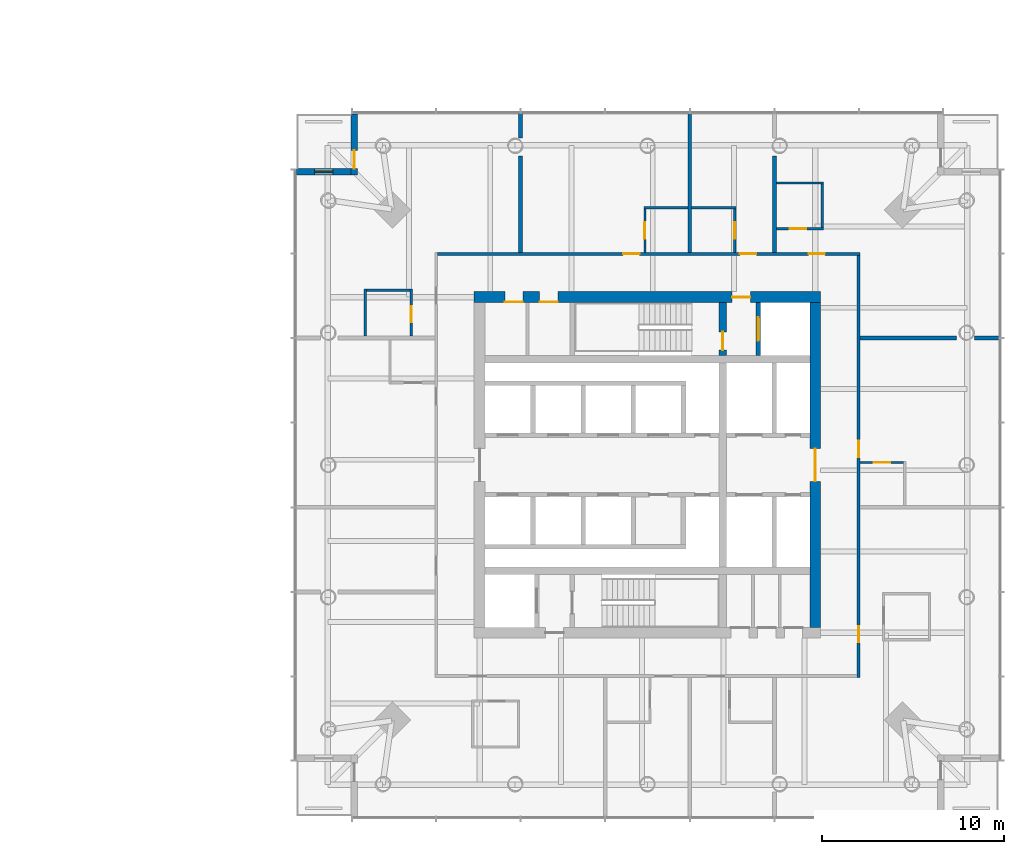
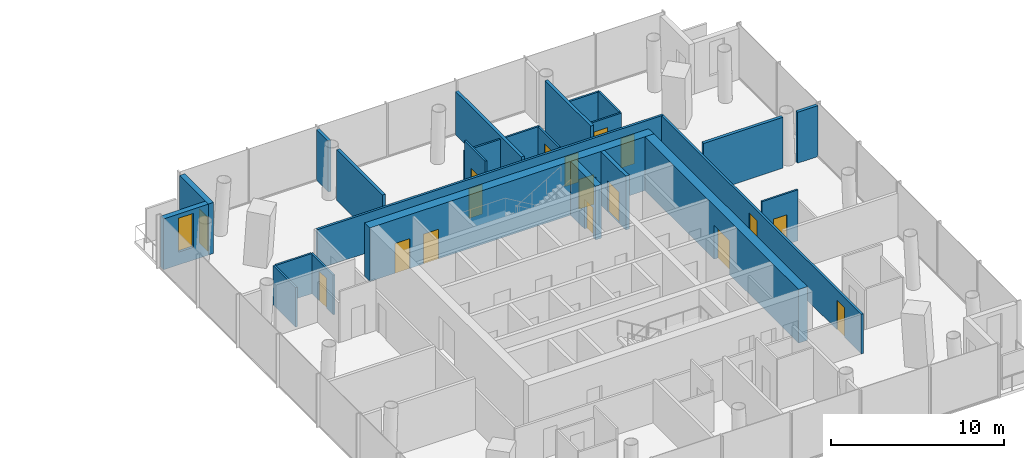
# One storey, part 14 of 18: 25 walls, 17 doors, 1 window, 18 openings.
"""IFC4 building model written with IfcOpenShell, lengths in metres."""

from ifc_helpers import new_model, si_unit, direction, frame, frame_2d, origin, place, context, subcontext, project, spatial, rectangle, extrude, material, layer, layer_set, type_object, element, fill, save


model = new_model("IFC4")

# Units and contexts
model_context = context("Model", 3, precision=1e-05, world=origin(), true_north=direction((0.0, 1.0)))
body_context = subcontext(model_context, "Body", "Model", "MODEL_VIEW")
ifc_project = project(units=[si_unit("LENGTHUNIT", "METRE"), si_unit("AREAUNIT", "SQUARE_METRE"), si_unit("VOLUMEUNIT", "CUBIC_METRE"), si_unit("PLANEANGLEUNIT", "RADIAN"), si_unit("MASSUNIT", "GRAM", prefix="KILO")], contexts=[model_context])

# Site, building, storey
site_placement = place(None, origin())
site = spatial("IfcSite", under=ifc_project, at=site_placement, CompositionType="ELEMENT")
building_placement = place(site_placement, origin())
building = spatial("IfcBuilding", under=site, at=building_placement, Name="Ostroluk Exchange", CompositionType="ELEMENT")
storey_placement = place(building_placement, frame((0.0, 0.0, 55.199951171875)))
storey = spatial("IfcBuildingStorey", under=building, at=storey_placement, Name="L13", CompositionType="ELEMENT", Elevation=55.199951171875)

# Wall, opening, door
ifc_material_1 = material(Name="Concrete C50/60", Category="concrete")
ifc_layer_1 = layer(ifc_material_1, 0.39990234375)
ifc_layer_set_1 = layer_set([ifc_layer_1], Name="Core cross wall 400 C50/60")
wall_type_1 = type_object("IfcWallType", Name="Core cross wall 400 C50/60", PredefinedType="SHEAR", material=ifc_layer_set_1)
wall_1_placement = place(storey_placement, frame((121.1298828125, 52.0, 0.0), z_axis=(0.0, 0.0, 1.0), x_axis=(0.0, 1.0, 0.0)))
wall_1 = element("IfcWall", 1, at=wall_1_placement, inside=storey, type_object=wall_type_1, Name="T2 core wall YE3", PredefinedType="SHEAR", context=body_context, shape_type="SweptSolid", body=[
    extrude(rectangle(XDim=2.89990234375, YDim=0.39990234375, at=frame_2d((1.449951171875, 0.0))), origin(), (0.0, 0.0, 1.0), 3.800048828125),
])
opening_1_placement = place(wall_1_placement, frame((0.300048828125, 0.0, 0.0)))
opening_1 = element("IfcOpeningElement", 2, at=opening_1_placement, cuts=wall_1, Name="Opening FD60", PredefinedType="OPENING", context=body_context, shape_type="SweptSolid", body=[
    extrude(rectangle(XDim=1.0, YDim=2.10009765625, at=frame_2d((0.5, 1.050048828125))), frame((0.0, 0.2099609375, 0.0), z_axis=(0.0, -1.0, 0.0), x_axis=(1.0, 0.0, 0.0)), (0.0, 0.0, 1.0), 0.419921875),
])
ifc_material_2 = material(Name="Steel", Category="steel")
door_type_1 = type_object("IfcDoorType", Name="Fire door EI 60 1000 x 2100", OperationType="SINGLE_SWING_LEFT", PredefinedType="DOOR", material=ifc_material_2)
door_1_placement = place(opening_1_placement, origin())
door_1 = element("IfcDoor", 3, at=door_1_placement, inside=storey, type_object=door_type_1, Name="Stair T2-S2 door", OperationType="SINGLE_SWING_LEFT", OverallHeight=2.10009765625, OverallWidth=1.0, PredefinedType="DOOR", context=body_context, shape_type="SweptSolid", body=[
    extrude(rectangle(XDim=1.0, YDim=2.10009765625, at=frame_2d((0.5, 1.050048828125))), frame((0.0, 0.02490234375, 0.0), z_axis=(0.0, -1.0, 0.0), x_axis=(1.0, 0.0, 0.0)), (0.0, 0.0, 1.0), 0.050048828125),
])
fill(opening_1, door_1)

ifc_material_3 = material(Name="Concrete C40/50", Category="concrete")
ifc_layer_2 = layer(ifc_material_3, 0.25)
ifc_layer_set_2 = layer_set([ifc_layer_2], Name="Core shaft wall 250")
wall_type_2 = type_object("IfcWallType", Name="Core shaft wall 250", PredefinedType="SHEAR", material=ifc_layer_set_2)
wall_2_placement = place(storey_placement, frame((123.074951171875, 52.0, 0.0), z_axis=(0.0, 0.0, 1.0), x_axis=(0.0, 1.0, 0.0)))
wall_2 = element("IfcWall", 4, at=wall_2_placement, inside=storey, type_object=wall_type_2, Name="Firefighting lift shaft wall", PredefinedType="SHEAR", context=body_context, shape_type="SweptSolid", body=[
    extrude(rectangle(XDim=2.89990234375, YDim=0.25, at=frame_2d((1.449951171875, 0.0))), origin(), (0.0, 0.0, 1.0), 3.800048828125),
])
opening_2_placement = place(wall_2_placement, frame((0.800048828125, 0.0, 0.0)))
opening_2 = element("IfcOpeningElement", 5, at=opening_2_placement, cuts=wall_2, Name="Opening LD2", PredefinedType="OPENING", context=body_context, shape_type="SweptSolid", body=[
    extrude(rectangle(XDim=1.300048828125, YDim=2.199951171875, at=frame_2d((0.64990234375, 1.10009765625))), frame((0.0, 0.135009765625, 0.0), z_axis=(0.0, -1.0, 0.0), x_axis=(1.0, 0.0, 0.0)), (0.0, 0.0, 1.0), 0.27001953125),
])
ifc_material_4 = material(Name="Stainless steel", Category="steel")
door_type_2 = type_object("IfcDoorType", Name="Lift landing door E 60 1300 x 2200", OperationType="DOUBLE_DOOR_SLIDING", PredefinedType="DOOR", material=ifc_material_4)
door_2_placement = place(opening_2_placement, origin())
door_2 = element("IfcDoor", 6, at=door_2_placement, inside=storey, type_object=door_type_2, Name="Lift HF2 landing door", OperationType="DOUBLE_DOOR_SLIDING", OverallHeight=2.199951171875, OverallWidth=1.300048828125, PredefinedType="DOOR", context=body_context, shape_type="SweptSolid", body=[
    extrude(rectangle(XDim=1.300048828125, YDim=2.199951171875, at=frame_2d((0.64990234375, 1.10009765625))), frame((0.0, 0.02490234375, 0.0), z_axis=(0.0, -1.0, 0.0), x_axis=(1.0, 0.0, 0.0)), (0.0, 0.0, 1.0), 0.050048828125),
])
fill(opening_2, door_2)

# Wall, openings, doors
ifc_material_5 = material(Name="Concrete C50/60", Category="concrete")
ifc_layer_3 = layer(ifc_material_5, 0.60009765625)
ifc_layer_set_3 = layer_set([ifc_layer_3], Name="Core wall 600 C50/60")
wall_type_3 = type_object("IfcWallType", Name="Core wall 600 C50/60", PredefinedType="SHEAR", material=ifc_layer_set_3)
wall_3_placement = place(storey_placement, frame((107.5, 55.199951171875, 0.0), z_axis=(0.0, 0.0, 1.0), x_axis=(1.0, 0.0, 0.0)))
wall_3 = element("IfcWall", 7, at=wall_3_placement, inside=storey, type_object=wall_type_3, Name="T2 core wall N", PredefinedType="SHEAR", context=body_context, shape_type="SweptSolid", body=[
    extrude(rectangle(XDim=19.0, YDim=0.60009765625, at=frame_2d((9.5, 0.0))), origin(), (0.0, 0.0, 1.0), 3.800048828125),
])
opening_3_placement = place(wall_3_placement, frame((14.139892578125, 0.0, 0.0)))
opening_3 = element("IfcOpeningElement", 8, at=opening_3_placement, cuts=wall_3, Name="Opening FD60", PredefinedType="OPENING", context=body_context, shape_type="SweptSolid", body=[
    extrude(rectangle(XDim=1.0, YDim=2.10009765625, at=frame_2d((0.5, 1.050048828125))), frame((0.0, 0.31005859375, 0.0), z_axis=(0.0, -1.0, 0.0), x_axis=(1.0, 0.0, 0.0)), (0.0, 0.0, 1.0), 0.6201171875),
])
opening_4_placement = place(wall_3_placement, frame((1.675048828125, 0.0, 0.0)))
opening_4 = element("IfcOpeningElement", 9, at=opening_4_placement, cuts=wall_3, Name="Opening FD60", PredefinedType="OPENING", context=body_context, shape_type="SweptSolid", body=[
    extrude(rectangle(XDim=1.0, YDim=2.10009765625, at=frame_2d((0.5, 1.050048828125))), frame((0.0, 0.31005859375, 0.0), z_axis=(0.0, -1.0, 0.0), x_axis=(1.0, 0.0, 0.0)), (0.0, 0.0, 1.0), 0.6201171875),
])
opening_5_placement = place(wall_3_placement, frame((3.58740234375, 0.0, 0.0)))
opening_5 = element("IfcOpeningElement", 10, at=opening_5_placement, cuts=wall_3, Name="Opening FD60", PredefinedType="OPENING", context=body_context, shape_type="SweptSolid", body=[
    extrude(rectangle(XDim=1.0, YDim=2.10009765625, at=frame_2d((0.5, 1.050048828125))), frame((0.0, 0.31005859375, 0.0), z_axis=(0.0, -1.0, 0.0), x_axis=(1.0, 0.0, 0.0)), (0.0, 0.0, 1.0), 0.6201171875),
])
door_3_placement = place(opening_3_placement, origin())
door_3 = element("IfcDoor", 11, at=door_3_placement, inside=storey, type_object=door_type_1, Name="Firefighting lobby door", OperationType="SINGLE_SWING_RIGHT", OverallHeight=2.10009765625, OverallWidth=1.0, PredefinedType="DOOR", context=body_context, shape_type="SweptSolid", body=[
    extrude(rectangle(XDim=1.0, YDim=2.10009765625, at=frame_2d((0.5, 1.050048828125))), frame((0.0, 0.02490234375, 0.0), z_axis=(0.0, -1.0, 0.0), x_axis=(1.0, 0.0, 0.0)), (0.0, 0.0, 1.0), 0.050048828125),
])
fill(opening_3, door_3)
door_4_placement = place(opening_4_placement, origin())
door_4 = element("IfcDoor", 12, at=door_4_placement, inside=storey, type_object=door_type_1, Name="Ice and vending room door", OperationType="SINGLE_SWING_LEFT", OverallHeight=2.10009765625, OverallWidth=1.0, PredefinedType="DOOR", context=body_context, shape_type="SweptSolid", body=[
    extrude(rectangle(XDim=1.0, YDim=2.10009765625, at=frame_2d((0.5, 1.050048828125))), frame((0.0, -0.23974609375, 0.0), z_axis=(0.0, -1.0, 0.0), x_axis=(1.0, 0.0, 0.0)), (0.0, 0.0, 1.0), 0.050048828125),
])
fill(opening_4, door_4)
door_5_placement = place(opening_5_placement, origin())
door_5 = element("IfcDoor", 13, at=door_5_placement, inside=storey, type_object=door_type_1, Name="Room-service pantry door", OperationType="SINGLE_SWING_LEFT", OverallHeight=2.10009765625, OverallWidth=1.0, PredefinedType="DOOR", context=body_context, shape_type="SweptSolid", body=[
    extrude(rectangle(XDim=1.0, YDim=2.10009765625, at=frame_2d((0.5, 1.050048828125))), frame((0.0, -0.23974609375, 0.0), z_axis=(0.0, -1.0, 0.0), x_axis=(1.0, 0.0, 0.0)), (0.0, 0.0, 1.0), 0.050048828125),
])
fill(opening_5, door_5)

# Wall, opening, door
wall_4_placement = place(storey_placement, frame((126.199951171875, 37.10009765625, 0.0), z_axis=(0.0, 0.0, 1.0), x_axis=(0.0, 1.0, 0.0)))
wall_4 = element("IfcWall", 14, at=wall_4_placement, inside=storey, type_object=wall_type_3, Name="T2 core wall E", PredefinedType="SHEAR", context=body_context, shape_type="SweptSolid", body=[
    extrude(rectangle(XDim=17.7998046875, YDim=0.60009765625, at=frame_2d((8.89990234375, 0.0))), origin(), (0.0, 0.0, 1.0), 3.800048828125),
])
opening_6_placement = place(wall_4_placement, frame((8.0, 0.0, 0.0)))
opening_6 = element("IfcOpeningElement", 15, at=opening_6_placement, cuts=wall_4, Name="Opening FD30D", PredefinedType="OPENING", context=body_context, shape_type="SweptSolid", body=[
    extrude(rectangle(XDim=1.800048828125, YDim=2.39990234375, at=frame_2d((0.89990234375, 1.199951171875))), frame((0.0, 0.31005859375, 0.0), z_axis=(0.0, -1.0, 0.0), x_axis=(1.0, 0.0, 0.0)), (0.0, 0.0, 1.0), 0.6201171875),
])
ifc_material_6 = material(Name="Timber", Category="wood")
door_type_3 = type_object("IfcDoorType", Name="Lobby double door EI 30 1800 x 2400", OperationType="DOUBLE_DOOR_SINGLE_SWING", PredefinedType="DOOR", material=ifc_material_6)
door_6_placement = place(opening_6_placement, origin())
door_6 = element("IfcDoor", 16, at=door_6_placement, inside=storey, type_object=door_type_3, Name="Lift lobby doors", OperationType="DOUBLE_DOOR_SINGLE_SWING", OverallHeight=2.39990234375, OverallWidth=1.800048828125, PredefinedType="DOOR", context=body_context, shape_type="SweptSolid", body=[
    extrude(rectangle(XDim=1.800048828125, YDim=2.39990234375, at=frame_2d((0.89990234375, 1.199951171875))), frame((0.0, 0.02490234375, 0.0), z_axis=(0.0, -1.0, 0.0), x_axis=(1.0, 0.0, 0.0)), (0.0, 0.0, 1.0), 0.050048828125),
])
fill(opening_6, door_6)

ifc_material_7 = material(Name="Limestone", Category="masonry")
ifc_layer_4 = layer(ifc_material_7, 0.35009765625)
ifc_layer_set_4 = layer_set([ifc_layer_4], Name="Limestone facade wall 350")
wall_type_4 = type_object("IfcWallType", Name="Limestone facade wall 350", PredefinedType="SOLIDWALL", material=ifc_layer_set_4)
wall_5_placement = place(storey_placement, frame((100.925048828125, 65.25, 0.0), z_axis=(0.0, 0.0, 1.0), x_axis=(0.0, -1.0, 0.0)))
wall_5 = element("IfcWall", 17, at=wall_5_placement, inside=storey, type_object=wall_type_4, Name="Hotel tower NW corner wall L13 a", PredefinedType="SOLIDWALL", context=body_context, shape_type="SweptSolid", body=[
    extrude(rectangle(XDim=3.35009765625, YDim=0.35009765625, at=frame_2d((1.675048828125, 0.0))), origin(), (0.0, 0.0, 1.0), 3.60009765625),
])
opening_7_placement = place(wall_5_placement, frame((2.0, 0.0, 0.0)))
opening_7 = element("IfcOpeningElement", 18, at=opening_7_placement, cuts=wall_5, Name="Opening D-B1", PredefinedType="OPENING", context=body_context, shape_type="SweptSolid", body=[
    extrude(rectangle(XDim=1.0, YDim=2.39990234375, at=frame_2d((0.5, 1.199951171875))), frame((0.0, 0.18505859375, 0.0), z_axis=(0.0, -1.0, 0.0), x_axis=(1.0, 0.0, 0.0)), (0.0, 0.0, 1.0), 0.3701171875),
])
ifc_material_8 = material(Name="Bronze framed glazed door", Category="aluminium")
door_type_4 = type_object("IfcDoorType", Name="Balcony door 1000 x 2400", OperationType="SINGLE_SWING_LEFT", PredefinedType="DOOR", material=ifc_material_8)
door_7_placement = place(opening_7_placement, origin())
door_7 = element("IfcDoor", 19, at=door_7_placement, inside=storey, type_object=door_type_4, Name="Hotel tower NW balcony door L13", OperationType="SINGLE_SWING_RIGHT", OverallHeight=2.39990234375, OverallWidth=1.0, PredefinedType="DOOR", context=body_context, shape_type="SweptSolid", body=[
    extrude(rectangle(XDim=1.0, YDim=2.39990234375, at=frame_2d((0.5, 1.199951171875))), frame((0.0, 0.02490234375, 0.0), z_axis=(0.0, -1.0, 0.0), x_axis=(1.0, 0.0, 0.0)), (0.0, 0.0, 1.0), 0.050048828125),
])
fill(opening_7, door_7)

# Wall, opening, window
wall_6_placement = place(storey_placement, frame((100.75, 62.074951171875, 0.0), z_axis=(0.0, 0.0, 1.0), x_axis=(-1.0, 0.0, 0.0)))
wall_6 = element("IfcWall", 20, at=wall_6_placement, inside=storey, type_object=wall_type_4, Name="Hotel tower NW corner wall L13 b", PredefinedType="SOLIDWALL", context=body_context, shape_type="SweptSolid", body=[
    extrude(rectangle(XDim=3.0, YDim=0.35009765625, at=frame_2d((1.5, 0.0))), origin(), (0.0, 0.0, 1.0), 3.60009765625),
])
opening_8_placement = place(wall_6_placement, frame((1.0, 0.0, 0.89990234375)))
opening_8 = element("IfcOpeningElement", 21, at=opening_8_placement, cuts=wall_6, Name="Opening WN-L3", PredefinedType="OPENING", context=body_context, shape_type="SweptSolid", body=[
    extrude(rectangle(XDim=1.0, YDim=2.39990234375, at=frame_2d((0.5, 1.199951171875))), frame((0.0, 0.18505859375, 0.0), z_axis=(0.0, -1.0, 0.0), x_axis=(1.0, 0.0, 0.0)), (0.0, 0.0, 1.0), 0.3701171875),
])
ifc_material_9 = material(Name="Laminated clear glass", Category="glass")
window_type = type_object("IfcWindowType", Name="Hotel lancet window 1000 x 2400", PartitioningType="SINGLE_PANEL", PredefinedType="WINDOW", material=ifc_material_9)
window_placement = place(opening_8_placement, origin())
window = element("IfcWindow", 22, at=window_placement, inside=storey, type_object=window_type, Name="Hotel tower NW lancet window L13", OverallHeight=2.39990234375, OverallWidth=1.0, PartitioningType="SINGLE_PANEL", PredefinedType="WINDOW", context=body_context, shape_type="SweptSolid", body=[
    extrude(rectangle(XDim=1.0, YDim=2.39990234375, at=frame_2d((0.5, 1.199951171875))), frame((0.0, 0.030029296875, 0.0), z_axis=(0.0, -1.0, 0.0), x_axis=(1.0, 0.0, 0.0)), (0.0, 0.0, 1.0), 0.06005859375),
])
fill(opening_8, window)

# Wall, opening, door
ifc_material_10 = material(Name="Gypsum plasterboard partition, moisture resistant", Category="gypsum")
ifc_layer_5 = layer(ifc_material_10, 0.1201171875)
ifc_layer_set_5 = layer_set([ifc_layer_5], Name="Plasterboard en-suite wall 120")
wall_type_5 = type_object("IfcWallType", Name="Plasterboard en-suite wall 120", PredefinedType="PARTITIONING", material=ifc_layer_set_5)
wall_7_placement = place(storey_placement, frame((128.64990234375, 46.138671875, 0.0), z_axis=(0.0, 0.0, 1.0), x_axis=(1.0, 0.0, 0.0)))
wall_7 = element("IfcWall", 23, at=wall_7_placement, inside=storey, type_object=wall_type_5, Name="En-suite wall", PredefinedType="PARTITIONING", context=body_context, shape_type="SweptSolid", body=[
    extrude(rectangle(XDim=2.400146484375, YDim=0.1201171875, at=frame_2d((1.2001953125, 0.0))), origin(), (0.0, 0.0, 1.0), 3.60009765625),
])
opening_9_placement = place(wall_7_placement, frame((0.75, 0.0, 0.0)))
opening_9 = element("IfcOpeningElement", 24, at=opening_9_placement, cuts=wall_7, Name="Opening D-02", PredefinedType="OPENING", context=body_context, shape_type="SweptSolid", body=[
    extrude(rectangle(XDim=0.89990234375, YDim=2.10009765625, at=frame_2d((0.449951171875, 1.050048828125))), frame((0.0, 0.070068359375, 0.0), z_axis=(0.0, -1.0, 0.0), x_axis=(1.0, 0.0, 0.0)), (0.0, 0.0, 1.0), 0.14013671875),
])
ifc_material_11 = material(Name="Timber", Category="wood")
door_type_5 = type_object("IfcDoorType", Name="En-suite door 900 x 2100", OperationType="SINGLE_SWING_LEFT", PredefinedType="DOOR", material=ifc_material_11)
door_8_placement = place(opening_9_placement, origin())
door_8 = element("IfcDoor", 25, at=door_8_placement, inside=storey, type_object=door_type_5, Name="En-suite door 1302", OperationType="SINGLE_SWING_LEFT", OverallHeight=2.10009765625, OverallWidth=0.89990234375, PredefinedType="DOOR", context=body_context, shape_type="SweptSolid", body=[
    extrude(rectangle(XDim=0.89990234375, YDim=2.10009765625, at=frame_2d((0.449951171875, 1.050048828125))), frame((0.0, 0.02490234375, 0.0), z_axis=(0.0, -1.0, 0.0), x_axis=(1.0, 0.0, 0.0)), (0.0, 0.0, 1.0), 0.050048828125),
])
fill(opening_9, door_8)

wall_8_placement = place(storey_placement, frame((124.064208984375, 58.949951171875, 0.0), z_axis=(0.0, 0.0, 1.0), x_axis=(1.0, 0.0, 0.0)))
wall_8 = element("IfcWall", 26, at=wall_8_placement, inside=storey, type_object=wall_type_5, Name="En-suite wall", PredefinedType="PARTITIONING", context=body_context, shape_type="SweptSolid", body=[
    extrude(rectangle(XDim=2.580078125, YDim=0.1201171875, at=frame_2d((1.2900390625, 0.0))), origin(), (0.0, 0.0, 1.0), 2.800048828125),
])
opening_10_placement = place(wall_8_placement, frame((0.75, 0.0, 0.0)))
opening_10 = element("IfcOpeningElement", 27, at=opening_10_placement, cuts=wall_8, Name="Opening D-02", PredefinedType="OPENING", context=body_context, shape_type="SweptSolid", body=[
    extrude(rectangle(XDim=0.89990234375, YDim=2.10009765625, at=frame_2d((0.449951171875, 1.050048828125))), frame((0.0, 0.070068359375, 0.0), z_axis=(0.0, -1.0, 0.0), x_axis=(1.0, 0.0, 0.0)), (0.0, 0.0, 1.0), 0.14013671875),
])
door_9_placement = place(opening_10_placement, origin())
door_9 = element("IfcDoor", 28, at=door_9_placement, inside=storey, type_object=door_type_5, Name="En-suite door 1303", OperationType="SINGLE_SWING_LEFT", OverallHeight=2.10009765625, OverallWidth=0.89990234375, PredefinedType="DOOR", context=body_context, shape_type="SweptSolid", body=[
    extrude(rectangle(XDim=0.89990234375, YDim=2.10009765625, at=frame_2d((0.449951171875, 1.050048828125))), frame((0.0, 0.02490234375, 0.0), z_axis=(0.0, -1.0, 0.0), x_axis=(1.0, 0.0, 0.0)), (0.0, 0.0, 1.0), 0.050048828125),
])
fill(opening_10, door_9)

# Walls
wall_9_placement = place(storey_placement, frame((124.064208984375, 61.469970703125, 0.0), z_axis=(0.0, 0.0, 1.0), x_axis=(1.0, 0.0, 0.0)))
element("IfcWall", 29, at=wall_9_placement, inside=storey, type_object=wall_type_5, Name="En-suite wall", PredefinedType="PARTITIONING", context=body_context, shape_type="SweptSolid", body=[
    extrude(rectangle(XDim=2.580078125, YDim=0.1201171875, at=frame_2d((1.2900390625, 0.0))), origin(), (0.0, 0.0, 1.0), 2.800048828125),
])
wall_10_placement = place(storey_placement, frame((126.584228515625, 59.010009765625, 0.0), z_axis=(0.0, 0.0, 1.0), x_axis=(0.0, 1.0, 0.0)))
element("IfcWall", 30, at=wall_10_placement, inside=storey, type_object=wall_type_5, Name="En-suite wall", PredefinedType="PARTITIONING", context=body_context, shape_type="SweptSolid", body=[
    extrude(rectangle(XDim=2.39990234375, YDim=0.1201171875, at=frame_2d((1.199951171875, 0.0))), origin(), (0.0, 0.0, 1.0), 2.84716796875),
])
wall_11_placement = place(storey_placement, frame((121.84130859375, 60.110107421875, 0.0), z_axis=(0.0, 0.0, 1.0), x_axis=(-1.0, 0.0, 0.0)))
element("IfcWall", 31, at=wall_11_placement, inside=storey, type_object=wall_type_5, Name="En-suite wall", PredefinedType="PARTITIONING", context=body_context, shape_type="SweptSolid", body=[
    extrude(rectangle(XDim=2.419921875, YDim=0.1201171875, at=frame_2d((1.2099609375, 0.0))), origin(), (0.0, 0.0, 1.0), 2.84716796875),
])

# Wall, opening, door
wall_12_placement = place(storey_placement, frame((121.781494140625, 57.64990234375, 0.0), z_axis=(0.0, 0.0, 1.0), x_axis=(0.0, 1.0, 0.0)))
wall_12 = element("IfcWall", 32, at=wall_12_placement, inside=storey, type_object=wall_type_5, Name="En-suite wall", PredefinedType="PARTITIONING", context=body_context, shape_type="SweptSolid", body=[
    extrude(rectangle(XDim=2.400146484375, YDim=0.1201171875, at=frame_2d((1.2001953125, 0.0))), origin(), (0.0, 0.0, 1.0), 2.84716796875),
])
opening_11_placement = place(wall_12_placement, frame((0.75, 0.0, 0.0)))
opening_11 = element("IfcOpeningElement", 33, at=opening_11_placement, cuts=wall_12, Name="Opening D-02", PredefinedType="OPENING", context=body_context, shape_type="SweptSolid", body=[
    extrude(rectangle(XDim=0.89990234375, YDim=2.10009765625, at=frame_2d((0.449951171875, 1.050048828125))), frame((0.0, 0.070068359375, 0.0), z_axis=(0.0, -1.0, 0.0), x_axis=(1.0, 0.0, 0.0)), (0.0, 0.0, 1.0), 0.14013671875),
])
door_10_placement = place(opening_11_placement, origin())
door_10 = element("IfcDoor", 34, at=door_10_placement, inside=storey, type_object=door_type_5, Name="En-suite door 1304", OperationType="SINGLE_SWING_RIGHT", OverallHeight=2.10009765625, OverallWidth=0.89990234375, PredefinedType="DOOR", context=body_context, shape_type="SweptSolid", body=[
    extrude(rectangle(XDim=0.89990234375, YDim=2.10009765625, at=frame_2d((0.449951171875, 1.050048828125))), frame((0.0, 0.02490234375, 0.0), z_axis=(0.0, -1.0, 0.0), x_axis=(1.0, 0.0, 0.0)), (0.0, 0.0, 1.0), 0.050048828125),
])
fill(opening_11, door_10)

# Wall
wall_13_placement = place(storey_placement, frame((119.221435546875, 60.110107421875, 0.0), z_axis=(0.0, 0.0, 1.0), x_axis=(-1.0, 0.0, 0.0)))
element("IfcWall", 35, at=wall_13_placement, inside=storey, type_object=wall_type_5, Name="En-suite wall", PredefinedType="PARTITIONING", context=body_context, shape_type="SweptSolid", body=[
    extrude(rectangle(XDim=2.419921875, YDim=0.1201171875, at=frame_2d((1.2099609375, 0.0))), origin(), (0.0, 0.0, 1.0), 2.84716796875),
])

# Wall, opening, door
wall_14_placement = place(storey_placement, frame((116.861328125, 57.64990234375, 0.0), z_axis=(0.0, 0.0, 1.0), x_axis=(0.0, 1.0, 0.0)))
wall_14 = element("IfcWall", 36, at=wall_14_placement, inside=storey, type_object=wall_type_5, Name="En-suite wall", PredefinedType="PARTITIONING", context=body_context, shape_type="SweptSolid", body=[
    extrude(rectangle(XDim=2.400146484375, YDim=0.1201171875, at=frame_2d((1.2001953125, 0.0))), origin(), (0.0, 0.0, 1.0), 3.60009765625),
])
opening_12_placement = place(wall_14_placement, frame((0.75, 0.0, 0.0)))
opening_12 = element("IfcOpeningElement", 37, at=opening_12_placement, cuts=wall_14, Name="Opening D-02", PredefinedType="OPENING", context=body_context, shape_type="SweptSolid", body=[
    extrude(rectangle(XDim=0.89990234375, YDim=2.10009765625, at=frame_2d((0.449951171875, 1.050048828125))), frame((0.0, 0.070068359375, 0.0), z_axis=(0.0, -1.0, 0.0), x_axis=(1.0, 0.0, 0.0)), (0.0, 0.0, 1.0), 0.14013671875),
])
door_11_placement = place(opening_12_placement, origin())
door_11 = element("IfcDoor", 38, at=door_11_placement, inside=storey, type_object=door_type_5, Name="En-suite door 1305", OperationType="SINGLE_SWING_RIGHT", OverallHeight=2.10009765625, OverallWidth=0.89990234375, PredefinedType="DOOR", context=body_context, shape_type="SweptSolid", body=[
    extrude(rectangle(XDim=0.89990234375, YDim=2.10009765625, at=frame_2d((0.449951171875, 1.050048828125))), frame((0.0, 0.02490234375, 0.0), z_axis=(0.0, -1.0, 0.0), x_axis=(1.0, 0.0, 0.0)), (0.0, 0.0, 1.0), 0.050048828125),
])
fill(opening_12, door_11)

wall_15_placement = place(storey_placement, frame((104.050048828125, 53.064208984375, 0.0), z_axis=(0.0, 0.0, 1.0), x_axis=(0.0, 1.0, 0.0)))
wall_15 = element("IfcWall", 39, at=wall_15_placement, inside=storey, type_object=wall_type_5, Name="En-suite wall", PredefinedType="PARTITIONING", context=body_context, shape_type="SweptSolid", body=[
    extrude(rectangle(XDim=2.580078125, YDim=0.1201171875, at=frame_2d((1.2900390625, 0.0))), origin(), (0.0, 0.0, 1.0), 2.800048828125),
])
opening_13_placement = place(wall_15_placement, frame((0.75, 0.0, 0.0)))
opening_13 = element("IfcOpeningElement", 40, at=opening_13_placement, cuts=wall_15, Name="Opening D-02", PredefinedType="OPENING", context=body_context, shape_type="SweptSolid", body=[
    extrude(rectangle(XDim=0.89990234375, YDim=2.10009765625, at=frame_2d((0.449951171875, 1.050048828125))), frame((0.0, 0.070068359375, 0.0), z_axis=(0.0, -1.0, 0.0), x_axis=(1.0, 0.0, 0.0)), (0.0, 0.0, 1.0), 0.14013671875),
])
door_12_placement = place(opening_13_placement, origin())
door_12 = element("IfcDoor", 41, at=door_12_placement, inside=storey, type_object=door_type_5, Name="En-suite door 1306", OperationType="SINGLE_SWING_LEFT", OverallHeight=2.10009765625, OverallWidth=0.89990234375, PredefinedType="DOOR", context=body_context, shape_type="SweptSolid", body=[
    extrude(rectangle(XDim=0.89990234375, YDim=2.10009765625, at=frame_2d((0.449951171875, 1.050048828125))), frame((0.0, 0.02490234375, 0.0), z_axis=(0.0, -1.0, 0.0), x_axis=(1.0, 0.0, 0.0)), (0.0, 0.0, 1.0), 0.050048828125),
])
fill(opening_13, door_12)

# Walls
wall_16_placement = place(storey_placement, frame((101.530029296875, 53.064208984375, 0.0), z_axis=(0.0, 0.0, 1.0), x_axis=(0.0, 1.0, 0.0)))
element("IfcWall", 42, at=wall_16_placement, inside=storey, type_object=wall_type_5, Name="En-suite wall", PredefinedType="PARTITIONING", context=body_context, shape_type="SweptSolid", body=[
    extrude(rectangle(XDim=2.580078125, YDim=0.1201171875, at=frame_2d((1.2900390625, 0.0))), origin(), (0.0, 0.0, 1.0), 2.800048828125),
])
wall_17_placement = place(storey_placement, frame((103.989990234375, 55.584228515625, 0.0), z_axis=(0.0, 0.0, 1.0), x_axis=(-1.0, 0.0, 0.0)))
element("IfcWall", 43, at=wall_17_placement, inside=storey, type_object=wall_type_5, Name="En-suite wall", PredefinedType="PARTITIONING", context=body_context, shape_type="SweptSolid", body=[
    extrude(rectangle(XDim=2.39990234375, YDim=0.1201171875, at=frame_2d((1.199951171875, 0.0))), origin(), (0.0, 0.0, 1.0), 2.84716796875),
])

# Wall, openings, doors
ifc_material_12 = material(Name="Gypsum plasterboard partition", Category="gypsum")
ifc_layer_6 = layer(ifc_material_12, 0.14990234375)
ifc_layer_set_6 = layer_set([ifc_layer_6], Name="Plasterboard partition 150")
wall_type_6 = type_object("IfcWallType", Name="Plasterboard partition 150", PredefinedType="PARTITIONING", material=ifc_layer_set_6)
wall_18_placement = place(storey_placement, frame((128.574951171875, 34.35009765625, 0.0), z_axis=(0.0, 0.0, 1.0), x_axis=(0.0, 1.0, 0.0)))
wall_18 = element("IfcWall", 44, at=wall_18_placement, inside=storey, type_object=wall_type_6, Name="Corridor wall", PredefinedType="PARTITIONING", context=body_context, shape_type="SweptSolid", body=[
    extrude(rectangle(XDim=23.14990234375, YDim=0.14990234375, at=frame_2d((11.574951171875, 0.0))), origin(), (0.0, 0.0, 1.0), 2.800048828125),
])
opening_14_placement = place(wall_18_placement, frame((1.91796875, 0.0, 0.0)))
opening_14 = element("IfcOpeningElement", 45, at=opening_14_placement, cuts=wall_18, Name="Opening D-01", PredefinedType="OPENING", context=body_context, shape_type="SweptSolid", body=[
    extrude(rectangle(XDim=0.89990234375, YDim=2.10009765625, at=frame_2d((0.449951171875, 1.050048828125))), frame((0.0, 0.0849609375, 0.0), z_axis=(0.0, -1.0, 0.0), x_axis=(1.0, 0.0, 0.0)), (0.0, 0.0, 1.0), 0.169921875),
])
opening_15_placement = place(wall_18_placement, frame((12.07861328125, 0.0, 0.0)))
opening_15 = element("IfcOpeningElement", 46, at=opening_15_placement, cuts=wall_18, Name="Opening D-01", PredefinedType="OPENING", context=body_context, shape_type="SweptSolid", body=[
    extrude(rectangle(XDim=0.89990234375, YDim=2.10009765625, at=frame_2d((0.449951171875, 1.050048828125))), frame((0.0, 0.0849609375, 0.0), z_axis=(0.0, -1.0, 0.0), x_axis=(1.0, 0.0, 0.0)), (0.0, 0.0, 1.0), 0.169921875),
])
ifc_material_13 = material(Name="Timber", Category="wood")
door_type_6 = type_object("IfcDoorType", Name="Hotel room door EI 30 Sa 900 x 2100", OperationType="SINGLE_SWING_LEFT", PredefinedType="DOOR", material=ifc_material_13)
door_13_placement = place(opening_14_placement, origin())
door_13 = element("IfcDoor", 47, at=door_13_placement, inside=storey, type_object=door_type_6, Name="Room door 1301", OperationType="SINGLE_SWING_LEFT", OverallHeight=2.10009765625, OverallWidth=0.89990234375, PredefinedType="DOOR", context=body_context, shape_type="SweptSolid", body=[
    extrude(rectangle(XDim=0.89990234375, YDim=2.10009765625, at=frame_2d((0.449951171875, 1.050048828125))), frame((0.0, 0.02490234375, 0.0), z_axis=(0.0, -1.0, 0.0), x_axis=(1.0, 0.0, 0.0)), (0.0, 0.0, 1.0), 0.050048828125),
])
fill(opening_14, door_13)
door_14_placement = place(opening_15_placement, origin())
door_14 = element("IfcDoor", 48, at=door_14_placement, inside=storey, type_object=door_type_6, Name="Room door 1302", OperationType="SINGLE_SWING_RIGHT", OverallHeight=2.10009765625, OverallWidth=0.89990234375, PredefinedType="DOOR", context=body_context, shape_type="SweptSolid", body=[
    extrude(rectangle(XDim=0.89990234375, YDim=2.10009765625, at=frame_2d((0.449951171875, 1.050048828125))), frame((0.0, 0.02490234375, 0.0), z_axis=(0.0, -1.0, 0.0), x_axis=(1.0, 0.0, 0.0)), (0.0, 0.0, 1.0), 0.050048828125),
])
fill(opening_15, door_14)

wall_19_placement = place(storey_placement, frame((128.64990234375, 57.574951171875, 0.0), z_axis=(0.0, 0.0, 1.0), x_axis=(-1.0, 0.0, 0.0)))
wall_19 = element("IfcWall", 49, at=wall_19_placement, inside=storey, type_object=wall_type_6, Name="Corridor wall", PredefinedType="PARTITIONING", context=body_context, shape_type="SweptSolid", body=[
    extrude(rectangle(XDim=23.14990234375, YDim=0.14990234375, at=frame_2d((11.574951171875, 0.0))), origin(), (0.0, 0.0, 1.0), 2.800048828125),
])
opening_16_placement = place(wall_19_placement, frame((1.91796875, 0.0, 0.0)))
opening_16 = element("IfcOpeningElement", 50, at=opening_16_placement, cuts=wall_19, Name="Opening D-01", PredefinedType="OPENING", context=body_context, shape_type="SweptSolid", body=[
    extrude(rectangle(XDim=0.89990234375, YDim=2.10009765625, at=frame_2d((0.449951171875, 1.050048828125))), frame((0.0, 0.0849609375, 0.0), z_axis=(0.0, -1.0, 0.0), x_axis=(1.0, 0.0, 0.0)), (0.0, 0.0, 1.0), 0.169921875),
])
opening_17_placement = place(wall_19_placement, frame((5.678466796875, 0.0, 0.0)))
opening_17 = element("IfcOpeningElement", 51, at=opening_17_placement, cuts=wall_19, Name="Opening D-01", PredefinedType="OPENING", context=body_context, shape_type="SweptSolid", body=[
    extrude(rectangle(XDim=0.89990234375, YDim=2.10009765625, at=frame_2d((0.449951171875, 1.050048828125))), frame((0.0, 0.0849609375, 0.0), z_axis=(0.0, -1.0, 0.0), x_axis=(1.0, 0.0, 0.0)), (0.0, 0.0, 1.0), 0.169921875),
])
opening_18_placement = place(wall_19_placement, frame((12.07861328125, 0.0, 0.0)))
opening_18 = element("IfcOpeningElement", 52, at=opening_18_placement, cuts=wall_19, Name="Opening D-01", PredefinedType="OPENING", context=body_context, shape_type="SweptSolid", body=[
    extrude(rectangle(XDim=0.89990234375, YDim=2.10009765625, at=frame_2d((0.449951171875, 1.050048828125))), frame((0.0, 0.0849609375, 0.0), z_axis=(0.0, -1.0, 0.0), x_axis=(1.0, 0.0, 0.0)), (0.0, 0.0, 1.0), 0.169921875),
])
door_15_placement = place(opening_16_placement, origin())
door_15 = element("IfcDoor", 53, at=door_15_placement, inside=storey, type_object=door_type_6, Name="Room door 1303", OperationType="SINGLE_SWING_LEFT", OverallHeight=2.10009765625, OverallWidth=0.89990234375, PredefinedType="DOOR", context=body_context, shape_type="SweptSolid", body=[
    extrude(rectangle(XDim=0.89990234375, YDim=2.10009765625, at=frame_2d((0.449951171875, 1.050048828125))), frame((0.0, 0.02490234375, 0.0), z_axis=(0.0, -1.0, 0.0), x_axis=(1.0, 0.0, 0.0)), (0.0, 0.0, 1.0), 0.050048828125),
])
fill(opening_16, door_15)
door_16_placement = place(opening_17_placement, origin())
door_16 = element("IfcDoor", 54, at=door_16_placement, inside=storey, type_object=door_type_6, Name="Room door 1304", OperationType="SINGLE_SWING_LEFT", OverallHeight=2.10009765625, OverallWidth=0.89990234375, PredefinedType="DOOR", context=body_context, shape_type="SweptSolid", body=[
    extrude(rectangle(XDim=0.89990234375, YDim=2.10009765625, at=frame_2d((0.449951171875, 1.050048828125))), frame((0.0, 0.02490234375, 0.0), z_axis=(0.0, -1.0, 0.0), x_axis=(1.0, 0.0, 0.0)), (0.0, 0.0, 1.0), 0.050048828125),
])
fill(opening_17, door_16)
door_17_placement = place(opening_18_placement, origin())
door_17 = element("IfcDoor", 55, at=door_17_placement, inside=storey, type_object=door_type_6, Name="Room door 1305", OperationType="SINGLE_SWING_RIGHT", OverallHeight=2.10009765625, OverallWidth=0.89990234375, PredefinedType="DOOR", context=body_context, shape_type="SweptSolid", body=[
    extrude(rectangle(XDim=0.89990234375, YDim=2.10009765625, at=frame_2d((0.449951171875, 1.050048828125))), frame((0.0, 0.02490234375, 0.0), z_axis=(0.0, -1.0, 0.0), x_axis=(1.0, 0.0, 0.0)), (0.0, 0.0, 1.0), 0.050048828125),
])
fill(opening_18, door_17)

# Walls
ifc_material_14 = material(Name="Gypsum plasterboard partition", Category="gypsum")
ifc_layer_7 = layer(ifc_material_14, 0.199951171875)
ifc_layer_set_7 = layer_set([ifc_layer_7], Name="Plasterboard party wall 200")
wall_type_7 = type_object("IfcWallType", Name="Plasterboard party wall 200", PredefinedType="PARTITIONING", material=ifc_layer_set_7)
wall_20_placement = place(storey_placement, frame((128.64990234375, 52.96435546875, 0.0), z_axis=(0.0, 0.0, 1.0), x_axis=(1.0, 0.0, 0.0)))
element("IfcWall", 56, at=wall_20_placement, inside=storey, type_object=wall_type_7, Name="Party wall", PredefinedType="PARTITIONING", context=body_context, shape_type="SweptSolid", body=[
    extrude(rectangle(XDim=5.3056640625, YDim=0.199951171875, at=frame_2d((2.65283203125, 0.0))), origin(), (0.0, 0.0, 1.0), 3.60009765625),
])
wall_21_placement = place(storey_placement, frame((134.932373046875, 52.96435546875, 0.0), z_axis=(0.0, 0.0, 1.0), x_axis=(1.0, 0.0, 0.0)))
element("IfcWall", 57, at=wall_21_placement, inside=storey, type_object=wall_type_7, Name="Party wall", PredefinedType="PARTITIONING", context=body_context, shape_type="SweptSolid", body=[
    extrude(rectangle(XDim=1.357666015625, YDim=0.199951171875, at=frame_2d((0.6787109375, 0.0))), origin(), (0.0, 0.0, 1.0), 3.60009765625),
])
wall_22_placement = place(storey_placement, frame((123.96435546875, 57.64990234375, 0.0), z_axis=(0.0, 0.0, 1.0), x_axis=(0.0, 1.0, 0.0)))
element("IfcWall", 58, at=wall_22_placement, inside=storey, type_object=wall_type_7, Name="Party wall", PredefinedType="PARTITIONING", context=body_context, shape_type="SweptSolid", body=[
    extrude(rectangle(XDim=5.3056640625, YDim=0.199951171875, at=frame_2d((2.65283203125, 0.0))), origin(), (0.0, 0.0, 1.0), 3.60009765625),
])
wall_23_placement = place(storey_placement, frame((119.321533203125, 57.64990234375, 0.0), z_axis=(0.0, 0.0, 1.0), x_axis=(0.0, 1.0, 0.0)))
element("IfcWall", 59, at=wall_23_placement, inside=storey, type_object=wall_type_7, Name="Party wall", PredefinedType="PARTITIONING", context=body_context, shape_type="SweptSolid", body=[
    extrude(rectangle(XDim=7.64013671875, YDim=0.199951171875, at=frame_2d((3.820068359375, 0.0))), origin(), (0.0, 0.0, 1.0), 3.050048828125),
])
wall_24_placement = place(storey_placement, frame((110.03564453125, 57.64990234375, 0.0), z_axis=(0.0, 0.0, 1.0), x_axis=(0.0, 1.0, 0.0)))
element("IfcWall", 60, at=wall_24_placement, inside=storey, type_object=wall_type_7, Name="Party wall", PredefinedType="PARTITIONING", context=body_context, shape_type="SweptSolid", body=[
    extrude(rectangle(XDim=5.3056640625, YDim=0.199951171875, at=frame_2d((2.65283203125, 0.0))), origin(), (0.0, 0.0, 1.0), 3.60009765625),
])
wall_25_placement = place(storey_placement, frame((110.03564453125, 63.932373046875, 0.0), z_axis=(0.0, 0.0, 1.0), x_axis=(0.0, 1.0, 0.0)))
element("IfcWall", 61, at=wall_25_placement, inside=storey, type_object=wall_type_7, Name="Party wall", PredefinedType="PARTITIONING", context=body_context, shape_type="SweptSolid", body=[
    extrude(rectangle(XDim=1.357666015625, YDim=0.199951171875, at=frame_2d((0.6787109375, 0.0))), origin(), (0.0, 0.0, 1.0), 3.60009765625),
])

save(model, "model.ifc")
